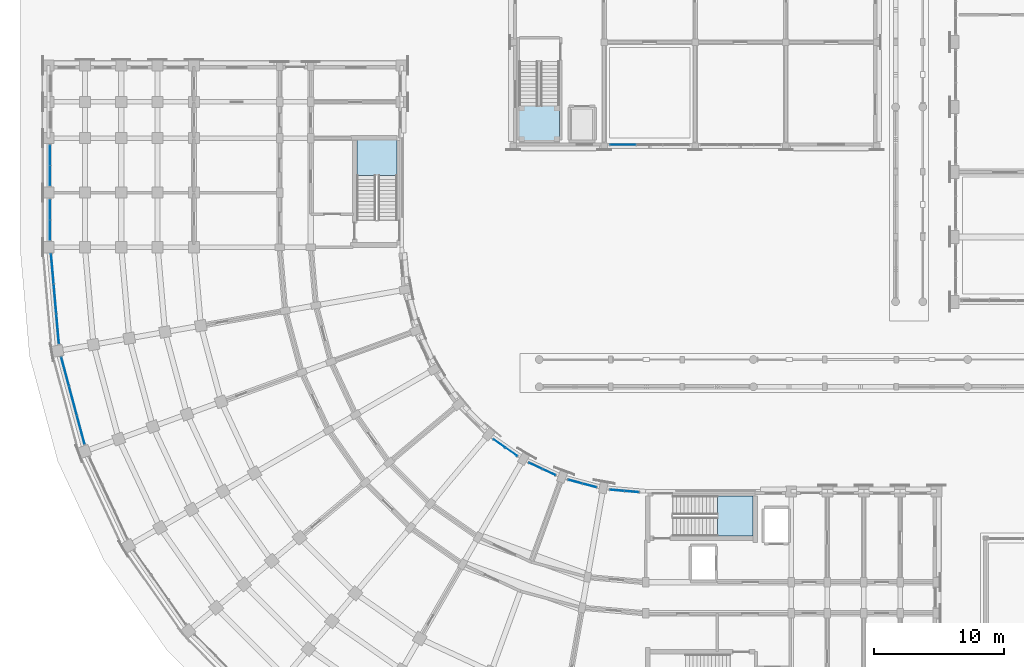
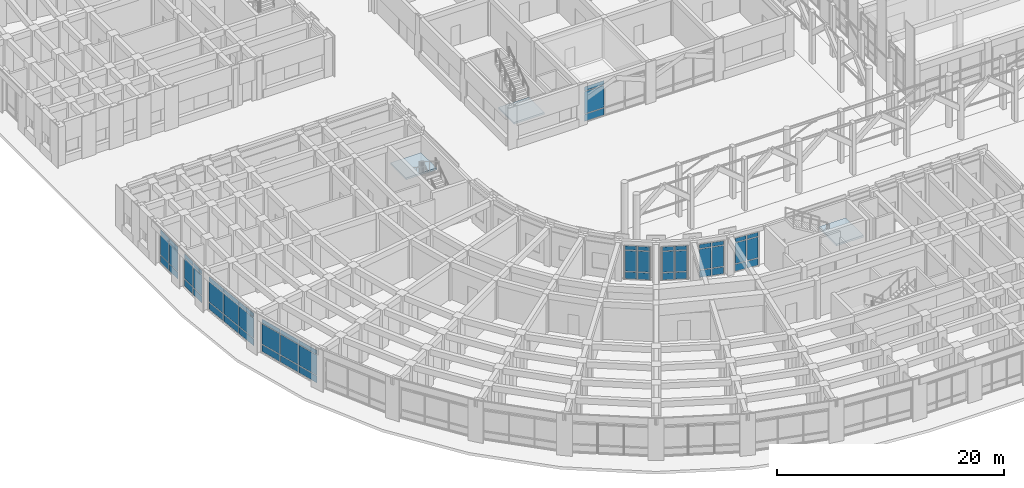
# One storey, part 59 of 135: 57 plates, 3 slabs, 12 elements without a shape of their own.
"""IFC4 building model written with IfcOpenShell, lengths in metres."""

from ifc_helpers import new_model, si_unit, direction, frame, origin, origin_2d, place, context, subcontext, project, spatial, polyline, rectangle, outline, extrude, material, layer, layer_set, type_object, element, aggregate, save


model = new_model("IFC4")

# Units and contexts
model_context = context("Model", 3, precision=1e-05, world=origin(), true_north=direction((0.0, 1.0)))
body_context = subcontext(model_context, "Body", "Model", "MODEL_VIEW")
ifc_project = project(units=[si_unit("LENGTHUNIT", "METRE"), si_unit("AREAUNIT", "SQUARE_METRE"), si_unit("VOLUMEUNIT", "CUBIC_METRE"), si_unit("PLANEANGLEUNIT", "RADIAN"), si_unit("MASSUNIT", "GRAM", prefix="KILO")], contexts=[model_context])

# Site, building, storey
site_placement = place(None, origin())
site = spatial("IfcSite", under=ifc_project, at=site_placement, CompositionType="ELEMENT")
building_placement = place(site_placement, origin())
building = spatial("IfcBuilding", under=site, at=building_placement, Name="Kiranvali Square Residences", CompositionType="ELEMENT")
storey_placement = place(building_placement, origin())
storey = spatial("IfcBuildingStorey", under=building, at=storey_placement, Name="L00", CompositionType="ELEMENT", Elevation=0.0)

# Curtain wall, plates
ifc_material_1 = material(Name="Anodised bronze aluminium framing", Category="aluminium")
curtain_wall_type_1 = type_object("IfcCurtainWallType", Name="CW-RET-SHOP", PredefinedType="USERDEFINED", material=ifc_material_1)
curtain_wall_1_placement = place(storey_placement, origin())
curtain_wall_1 = element("IfcCurtainWall", 1, at=curtain_wall_1_placement, inside=storey, type_object=curtain_wall_type_1, Name="Block C L00 rounded-corner arcade curtain wall 8", ObjectType="CURTAIN WALL", PredefinedType="USERDEFINED")
ifc_material_2 = material(Name="Solar-control low-e double glazing", Category="glass")
ifc_layer_1 = layer(ifc_material_2, 0.028076171875)
ifc_layer_set_1 = layer_set([ifc_layer_1], Name="Solar-control low-e double glazing")
plate_type_1 = type_object("IfcPlateType", Name="PLT-CW-GLZ", PredefinedType="CURTAIN_PANEL", material=ifc_layer_set_1)
plate_1_placement = place(storey_placement, frame((4.681640625, 34.137939453125, 0.89013671875), z_axis=(0.0, 0.0, 1.0), x_axis=(-0.258819045103, 0.965925826289, 0.0)))
plate_1 = element("IfcPlate", 2, at=plate_1_placement, type_object=plate_type_1, Name="CW-C-L00-CRV-07 glazed panel 1.2", PredefinedType="CURTAIN_PANEL", context=body_context, shape_type="SweptSolid", body=[
    extrude(rectangle(XDim=2.239501953125, YDim=0.028076171875, at=origin_2d()), origin(), (0.0, 0.0, 1.0), 2.169921875),
])
plate_2_placement = place(storey_placement, frame((4.681640625, 34.137939453125, 3.14013671875), z_axis=(0.0, 0.0, 1.0), x_axis=(-0.258819045103, 0.965925826289, 0.0)))
plate_2 = element("IfcPlate", 3, at=plate_2_placement, type_object=plate_type_1, Name="CW-C-L00-CRV-07 glazed panel 1.3", PredefinedType="CURTAIN_PANEL", context=body_context, shape_type="SweptSolid", body=[
    extrude(rectangle(XDim=2.239501953125, YDim=0.028076171875, at=origin_2d()), origin(), (0.0, 0.0, 1.0), 0.429931640625),
])
plate_3_placement = place(storey_placement, frame((4.081298828125, 36.37841796875, 0.89013671875), z_axis=(0.0, 0.0, 1.0), x_axis=(-0.258819045103, 0.965925826289, 0.0)))
plate_3 = element("IfcPlate", 4, at=plate_3_placement, type_object=plate_type_1, Name="CW-C-L00-CRV-07 glazed panel 2.2", PredefinedType="CURTAIN_PANEL", context=body_context, shape_type="SweptSolid", body=[
    extrude(rectangle(XDim=2.239501953125, YDim=0.028076171875, at=origin_2d()), origin(), (0.0, 0.0, 1.0), 2.169921875),
])
plate_4_placement = place(storey_placement, frame((4.081298828125, 36.37841796875, 3.14013671875), z_axis=(0.0, 0.0, 1.0), x_axis=(-0.258819045103, 0.965925826289, 0.0)))
plate_4 = element("IfcPlate", 5, at=plate_4_placement, type_object=plate_type_1, Name="CW-C-L00-CRV-07 glazed panel 2.3", PredefinedType="CURTAIN_PANEL", context=body_context, shape_type="SweptSolid", body=[
    extrude(rectangle(XDim=2.239501953125, YDim=0.028076171875, at=origin_2d()), origin(), (0.0, 0.0, 1.0), 0.429931640625),
])
plate_5_placement = place(storey_placement, frame((3.48095703125, 38.618896484375, 0.89013671875), z_axis=(0.0, 0.0, 1.0), x_axis=(-0.258819045103, 0.965925826289, 0.0)))
plate_5 = element("IfcPlate", 6, at=plate_5_placement, type_object=plate_type_1, Name="CW-C-L00-CRV-07 glazed panel 3.2", PredefinedType="CURTAIN_PANEL", context=body_context, shape_type="SweptSolid", body=[
    extrude(rectangle(XDim=2.239501953125, YDim=0.028076171875, at=origin_2d()), origin(), (0.0, 0.0, 1.0), 2.169921875),
])
plate_6_placement = place(storey_placement, frame((3.48095703125, 38.618896484375, 3.14013671875), z_axis=(0.0, 0.0, 1.0), x_axis=(-0.258819045103, 0.965925826289, 0.0)))
plate_6 = element("IfcPlate", 7, at=plate_6_placement, type_object=plate_type_1, Name="CW-C-L00-CRV-07 glazed panel 3.3", PredefinedType="CURTAIN_PANEL", context=body_context, shape_type="SweptSolid", body=[
    extrude(rectangle(XDim=2.239501953125, YDim=0.028076171875, at=origin_2d()), origin(), (0.0, 0.0, 1.0), 0.429931640625),
])

curtain_wall_2_placement = place(storey_placement, origin())
curtain_wall_2 = element("IfcCurtainWall", 8, at=curtain_wall_2_placement, inside=storey, type_object=curtain_wall_type_1, Name="Block C L00 rounded-corner arcade curtain wall 9", ObjectType="CURTAIN WALL", PredefinedType="USERDEFINED")
plate_7_placement = place(storey_placement, frame((2.90087890625, 41.908447265625, 0.89013671875), z_axis=(0.0, 0.0, 1.0), x_axis=(-0.087155742748, 0.996194698092, 0.0)))
plate_7 = element("IfcPlate", 9, at=plate_7_placement, type_object=plate_type_1, Name="CW-C-L00-CRV-08 glazed panel 1.2", PredefinedType="CURTAIN_PANEL", context=body_context, shape_type="SweptSolid", body=[
    extrude(rectangle(XDim=2.239501953125, YDim=0.028076171875, at=origin_2d()), origin(), (0.0, 0.0, 1.0), 2.169921875),
])
plate_8_placement = place(storey_placement, frame((2.90087890625, 41.908447265625, 3.14013671875), z_axis=(0.0, 0.0, 1.0), x_axis=(-0.087155742748, 0.996194698092, 0.0)))
plate_8 = element("IfcPlate", 10, at=plate_8_placement, type_object=plate_type_1, Name="CW-C-L00-CRV-08 glazed panel 1.3", PredefinedType="CURTAIN_PANEL", context=body_context, shape_type="SweptSolid", body=[
    extrude(rectangle(XDim=2.239501953125, YDim=0.028076171875, at=origin_2d()), origin(), (0.0, 0.0, 1.0), 0.429931640625),
])
plate_9_placement = place(storey_placement, frame((2.69873046875, 44.21923828125, 0.89013671875), z_axis=(0.0, 0.0, 1.0), x_axis=(-0.087155742748, 0.996194698092, 0.0)))
plate_9 = element("IfcPlate", 11, at=plate_9_placement, type_object=plate_type_1, Name="CW-C-L00-CRV-08 glazed panel 2.2", PredefinedType="CURTAIN_PANEL", context=body_context, shape_type="SweptSolid", body=[
    extrude(rectangle(XDim=2.239501953125, YDim=0.028076171875, at=origin_2d()), origin(), (0.0, 0.0, 1.0), 2.169921875),
])
plate_10_placement = place(storey_placement, frame((2.69873046875, 44.21923828125, 3.14013671875), z_axis=(0.0, 0.0, 1.0), x_axis=(-0.087155742748, 0.996194698092, 0.0)))
plate_10 = element("IfcPlate", 12, at=plate_10_placement, type_object=plate_type_1, Name="CW-C-L00-CRV-08 glazed panel 2.3", PredefinedType="CURTAIN_PANEL", context=body_context, shape_type="SweptSolid", body=[
    extrude(rectangle(XDim=2.239501953125, YDim=0.028076171875, at=origin_2d()), origin(), (0.0, 0.0, 1.0), 0.429931640625),
])
plate_11_placement = place(storey_placement, frame((2.49658203125, 46.52978515625, 0.89013671875), z_axis=(0.0, 0.0, 1.0), x_axis=(-0.087155742748, 0.996194698092, 0.0)))
plate_11 = element("IfcPlate", 13, at=plate_11_placement, type_object=plate_type_1, Name="CW-C-L00-CRV-08 glazed panel 3.2", PredefinedType="CURTAIN_PANEL", context=body_context, shape_type="SweptSolid", body=[
    extrude(rectangle(XDim=2.239501953125, YDim=0.028076171875, at=origin_2d()), origin(), (0.0, 0.0, 1.0), 2.169921875),
])
plate_12_placement = place(storey_placement, frame((2.49658203125, 46.52978515625, 3.14013671875), z_axis=(0.0, 0.0, 1.0), x_axis=(-0.087155742748, 0.996194698092, 0.0)))
plate_12 = element("IfcPlate", 14, at=plate_12_placement, type_object=plate_type_1, Name="CW-C-L00-CRV-08 glazed panel 3.3", PredefinedType="CURTAIN_PANEL", context=body_context, shape_type="SweptSolid", body=[
    extrude(rectangle(XDim=2.239501953125, YDim=0.028076171875, at=origin_2d()), origin(), (0.0, 0.0, 1.0), 0.429931640625),
])

curtain_wall_3_placement = place(storey_placement, origin())
curtain_wall_3 = element("IfcCurtainWall", 15, at=curtain_wall_3_placement, inside=storey, type_object=curtain_wall_type_1, Name="Block C L00 garden foyer curtain wall 1", ObjectType="CURTAIN WALL", PredefinedType="USERDEFINED")
plate_13_placement = place(storey_placement, frame((47.124267578125, 29.37353515625, 0.89013671875), z_axis=(0.0, 0.0, 1.0), x_axis=(-0.996194698092, 0.087155742748, 0.0)))
plate_13 = element("IfcPlate", 16, at=plate_13_placement, type_object=plate_type_1, Name="CW-C-L00-GDN-00 glazed panel 1.2", PredefinedType="CURTAIN_PANEL", context=body_context, shape_type="SweptSolid", body=[
    extrude(rectangle(XDim=1.05859375, YDim=0.028076171875, at=origin_2d()), origin(), (0.0, 0.0, 1.0), 2.219970703125),
])
plate_14_placement = place(storey_placement, frame((47.124267578125, 29.37353515625, 3.18994140625), z_axis=(0.0, 0.0, 1.0), x_axis=(-0.996194698092, 0.087155742748, 0.0)))
plate_14 = element("IfcPlate", 17, at=plate_14_placement, type_object=plate_type_1, Name="CW-C-L00-GDN-00 glazed panel 1.3", PredefinedType="CURTAIN_PANEL", context=body_context, shape_type="SweptSolid", body=[
    extrude(rectangle(XDim=1.05859375, YDim=0.028076171875, at=origin_2d()), origin(), (0.0, 0.0, 1.0), 0.429931640625),
])
plate_15_placement = place(storey_placement, frame((45.990234375, 29.472900390625, 0.89013671875), z_axis=(0.0, 0.0, 1.0), x_axis=(-0.996194698092, 0.087155742748, 0.0)))
plate_15 = element("IfcPlate", 18, at=plate_15_placement, type_object=plate_type_1, Name="CW-C-L00-GDN-00 glazed panel 2.2", PredefinedType="CURTAIN_PANEL", context=body_context, shape_type="SweptSolid", body=[
    extrude(rectangle(XDim=1.05859375, YDim=0.028076171875, at=origin_2d()), origin(), (0.0, 0.0, 1.0), 2.219970703125),
])
plate_16_placement = place(storey_placement, frame((45.990234375, 29.472900390625, 3.18994140625), z_axis=(0.0, 0.0, 1.0), x_axis=(-0.996194698092, 0.087155742748, 0.0)))
plate_16 = element("IfcPlate", 19, at=plate_16_placement, type_object=plate_type_1, Name="CW-C-L00-GDN-00 glazed panel 2.3", PredefinedType="CURTAIN_PANEL", context=body_context, shape_type="SweptSolid", body=[
    extrude(rectangle(XDim=1.05859375, YDim=0.028076171875, at=origin_2d()), origin(), (0.0, 0.0, 1.0), 0.429931640625),
])

curtain_wall_4_placement = place(storey_placement, origin())
curtain_wall_4 = element("IfcCurtainWall", 20, at=curtain_wall_4_placement, inside=storey, type_object=curtain_wall_type_1, Name="Block C L00 garden foyer curtain wall 2", ObjectType="CURTAIN WALL", PredefinedType="USERDEFINED")
plate_17_placement = place(storey_placement, frame((43.87158203125, 29.846435546875, 0.89013671875), z_axis=(0.0, 0.0, 1.0), x_axis=(-0.965925826289, 0.258819045103, 0.0)))
plate_17 = element("IfcPlate", 21, at=plate_17_placement, type_object=plate_type_1, Name="CW-C-L00-GDN-01 glazed panel 1.2", PredefinedType="CURTAIN_PANEL", context=body_context, shape_type="SweptSolid", body=[
    extrude(rectangle(XDim=1.05859375, YDim=0.028076171875, at=origin_2d()), origin(), (0.0, 0.0, 1.0), 2.219970703125),
])
plate_18_placement = place(storey_placement, frame((43.87158203125, 29.846435546875, 3.18994140625), z_axis=(0.0, 0.0, 1.0), x_axis=(-0.965925826289, 0.258819045103, 0.0)))
plate_18 = element("IfcPlate", 22, at=plate_18_placement, type_object=plate_type_1, Name="CW-C-L00-GDN-01 glazed panel 1.3", PredefinedType="CURTAIN_PANEL", context=body_context, shape_type="SweptSolid", body=[
    extrude(rectangle(XDim=1.05859375, YDim=0.028076171875, at=origin_2d()), origin(), (0.0, 0.0, 1.0), 0.429931640625),
])
plate_19_placement = place(storey_placement, frame((42.771728515625, 30.14111328125, 0.89013671875), z_axis=(0.0, 0.0, 1.0), x_axis=(-0.965925826289, 0.258819045103, 0.0)))
plate_19 = element("IfcPlate", 23, at=plate_19_placement, type_object=plate_type_1, Name="CW-C-L00-GDN-01 glazed panel 2.2", PredefinedType="CURTAIN_PANEL", context=body_context, shape_type="SweptSolid", body=[
    extrude(rectangle(XDim=1.05859375, YDim=0.028076171875, at=origin_2d()), origin(), (0.0, 0.0, 1.0), 2.219970703125),
])
plate_20_placement = place(storey_placement, frame((42.771728515625, 30.14111328125, 3.18994140625), z_axis=(0.0, 0.0, 1.0), x_axis=(-0.965925826289, 0.258819045103, 0.0)))
plate_20 = element("IfcPlate", 24, at=plate_20_placement, type_object=plate_type_1, Name="CW-C-L00-GDN-01 glazed panel 2.3", PredefinedType="CURTAIN_PANEL", context=body_context, shape_type="SweptSolid", body=[
    extrude(rectangle(XDim=1.05859375, YDim=0.028076171875, at=origin_2d()), origin(), (0.0, 0.0, 1.0), 0.429931640625),
])

curtain_wall_5_placement = place(storey_placement, origin())
curtain_wall_5 = element("IfcCurtainWall", 25, at=curtain_wall_5_placement, inside=storey, type_object=curtain_wall_type_1, Name="Block C L00 garden foyer curtain wall 3", ObjectType="CURTAIN WALL", PredefinedType="USERDEFINED")
plate_21_placement = place(storey_placement, frame((40.750244140625, 30.876953125, 0.89013671875), z_axis=(0.0, 0.0, 1.0), x_axis=(-0.906307787037, 0.422618261741, 0.0)))
plate_21 = element("IfcPlate", 26, at=plate_21_placement, type_object=plate_type_1, Name="CW-C-L00-GDN-02 glazed panel 1.2", PredefinedType="CURTAIN_PANEL", context=body_context, shape_type="SweptSolid", body=[
    extrude(rectangle(XDim=1.05859375, YDim=0.028076171875, at=origin_2d()), origin(), (0.0, 0.0, 1.0), 2.219970703125),
])
plate_22_placement = place(storey_placement, frame((40.750244140625, 30.876953125, 3.18994140625), z_axis=(0.0, 0.0, 1.0), x_axis=(-0.906307787037, 0.422618261741, 0.0)))
plate_22 = element("IfcPlate", 27, at=plate_22_placement, type_object=plate_type_1, Name="CW-C-L00-GDN-02 glazed panel 1.3", PredefinedType="CURTAIN_PANEL", context=body_context, shape_type="SweptSolid", body=[
    extrude(rectangle(XDim=1.05859375, YDim=0.028076171875, at=origin_2d()), origin(), (0.0, 0.0, 1.0), 0.429931640625),
])
plate_23_placement = place(storey_placement, frame((39.71826171875, 31.358154296875, 0.89013671875), z_axis=(0.0, 0.0, 1.0), x_axis=(-0.906307787037, 0.422618261741, 0.0)))
plate_23 = element("IfcPlate", 28, at=plate_23_placement, type_object=plate_type_1, Name="CW-C-L00-GDN-02 glazed panel 2.2", PredefinedType="CURTAIN_PANEL", context=body_context, shape_type="SweptSolid", body=[
    extrude(rectangle(XDim=1.05859375, YDim=0.028076171875, at=origin_2d()), origin(), (0.0, 0.0, 1.0), 2.219970703125),
])
plate_24_placement = place(storey_placement, frame((39.71826171875, 31.358154296875, 3.18994140625), z_axis=(0.0, 0.0, 1.0), x_axis=(-0.906307787037, 0.422618261741, 0.0)))
plate_24 = element("IfcPlate", 29, at=plate_24_placement, type_object=plate_type_1, Name="CW-C-L00-GDN-02 glazed panel 2.3", PredefinedType="CURTAIN_PANEL", context=body_context, shape_type="SweptSolid", body=[
    extrude(rectangle(XDim=1.05859375, YDim=0.028076171875, at=origin_2d()), origin(), (0.0, 0.0, 1.0), 0.429931640625),
])

curtain_wall_6_placement = place(storey_placement, origin())
curtain_wall_6 = element("IfcCurtainWall", 30, at=curtain_wall_6_placement, inside=storey, type_object=curtain_wall_type_1, Name="Block C L00 garden foyer curtain wall 4", ObjectType="CURTAIN WALL", PredefinedType="USERDEFINED")
plate_25_placement = place(storey_placement, frame((37.855224609375, 32.433837890625, 0.89013671875), z_axis=(0.0, 0.0, 1.0), x_axis=(-0.819152044289, 0.573576436351, 0.0)))
plate_25 = element("IfcPlate", 31, at=plate_25_placement, type_object=plate_type_1, Name="CW-C-L00-GDN-03 glazed panel 1.2", PredefinedType="CURTAIN_PANEL", context=body_context, shape_type="SweptSolid", body=[
    extrude(rectangle(XDim=1.05859375, YDim=0.028076171875, at=origin_2d()), origin(), (0.0, 0.0, 1.0), 2.219970703125),
])
plate_26_placement = place(storey_placement, frame((37.855224609375, 32.433837890625, 3.18994140625), z_axis=(0.0, 0.0, 1.0), x_axis=(-0.819152044289, 0.573576436351, 0.0)))
plate_26 = element("IfcPlate", 32, at=plate_26_placement, type_object=plate_type_1, Name="CW-C-L00-GDN-03 glazed panel 1.3", PredefinedType="CURTAIN_PANEL", context=body_context, shape_type="SweptSolid", body=[
    extrude(rectangle(XDim=1.05859375, YDim=0.028076171875, at=origin_2d()), origin(), (0.0, 0.0, 1.0), 0.429931640625),
])
plate_27_placement = place(storey_placement, frame((36.922607421875, 33.086669921875, 0.89013671875), z_axis=(0.0, 0.0, 1.0), x_axis=(-0.819152044289, 0.573576436351, 0.0)))
plate_27 = element("IfcPlate", 33, at=plate_27_placement, type_object=plate_type_1, Name="CW-C-L00-GDN-03 glazed panel 2.2", PredefinedType="CURTAIN_PANEL", context=body_context, shape_type="SweptSolid", body=[
    extrude(rectangle(XDim=1.05859375, YDim=0.028076171875, at=origin_2d()), origin(), (0.0, 0.0, 1.0), 2.219970703125),
])
plate_28_placement = place(storey_placement, frame((36.922607421875, 33.086669921875, 3.18994140625), z_axis=(0.0, 0.0, 1.0), x_axis=(-0.819152044289, 0.573576436351, 0.0)))
plate_28 = element("IfcPlate", 34, at=plate_28_placement, type_object=plate_type_1, Name="CW-C-L00-GDN-03 glazed panel 2.3", PredefinedType="CURTAIN_PANEL", context=body_context, shape_type="SweptSolid", body=[
    extrude(rectangle(XDim=1.05859375, YDim=0.028076171875, at=origin_2d()), origin(), (0.0, 0.0, 1.0), 0.429931640625),
])

curtain_wall_7_placement = place(storey_placement, origin())
curtain_wall_7 = element("IfcCurtainWall", 35, at=curtain_wall_7_placement, inside=storey, type_object=curtain_wall_type_1, Name="L00 curtain wall CW-C-L00-A2-0", ObjectType="CURTAIN WALL", PredefinedType="USERDEFINED")
plate_29_placement = place(storey_placement, frame((2.320068359375, 49.514892578125, 0.89013671875), z_axis=(0.0, 0.0, 1.0), x_axis=(0.0, 1.0, 0.0)))
plate_29 = element("IfcPlate", 36, at=plate_29_placement, type_object=plate_type_1, Name="CW-C-L00-A2-0 glazed panel 1.2", PredefinedType="CURTAIN_PANEL", context=body_context, shape_type="SweptSolid", body=[
    extrude(rectangle(XDim=1.489990234375, YDim=0.028076171875, at=origin_2d()), origin(), (0.0, 0.0, 1.0), 2.169921875),
])
plate_30_placement = place(storey_placement, frame((2.320068359375, 49.514892578125, 3.14013671875), z_axis=(0.0, 0.0, 1.0), x_axis=(0.0, 1.0, 0.0)))
plate_30 = element("IfcPlate", 37, at=plate_30_placement, type_object=plate_type_1, Name="CW-C-L00-A2-0 glazed panel 1.3", PredefinedType="CURTAIN_PANEL", context=body_context, shape_type="SweptSolid", body=[
    extrude(rectangle(XDim=1.489990234375, YDim=0.028076171875, at=origin_2d()), origin(), (0.0, 0.0, 1.0), 0.429931640625),
])
plate_31_placement = place(storey_placement, frame((2.320068359375, 51.0849609375, 0.89013671875), z_axis=(0.0, 0.0, 1.0), x_axis=(0.0, 1.0, 0.0)))
plate_31 = element("IfcPlate", 38, at=plate_31_placement, type_object=plate_type_1, Name="CW-C-L00-A2-0 glazed panel 2.2", PredefinedType="CURTAIN_PANEL", context=body_context, shape_type="SweptSolid", body=[
    extrude(rectangle(XDim=1.489990234375, YDim=0.028076171875, at=origin_2d()), origin(), (0.0, 0.0, 1.0), 2.169921875),
])
plate_32_placement = place(storey_placement, frame((2.320068359375, 51.0849609375, 3.14013671875), z_axis=(0.0, 0.0, 1.0), x_axis=(0.0, 1.0, 0.0)))
plate_32 = element("IfcPlate", 39, at=plate_32_placement, type_object=plate_type_1, Name="CW-C-L00-A2-0 glazed panel 2.3", PredefinedType="CURTAIN_PANEL", context=body_context, shape_type="SweptSolid", body=[
    extrude(rectangle(XDim=1.489990234375, YDim=0.028076171875, at=origin_2d()), origin(), (0.0, 0.0, 1.0), 0.429931640625),
])

curtain_wall_8_placement = place(storey_placement, origin())
curtain_wall_8 = element("IfcCurtainWall", 40, at=curtain_wall_8_placement, inside=storey, type_object=curtain_wall_type_1, Name="L00 curtain wall CW-C-L00-A2-1", ObjectType="CURTAIN WALL", PredefinedType="USERDEFINED")
plate_33_placement = place(storey_placement, frame((2.320068359375, 53.715087890625, 0.89013671875), z_axis=(0.0, 0.0, 1.0), x_axis=(0.0, 1.0, 0.0)))
plate_33 = element("IfcPlate", 41, at=plate_33_placement, type_object=plate_type_1, Name="CW-C-L00-A2-1 glazed panel 1.2", PredefinedType="CURTAIN_PANEL", context=body_context, shape_type="SweptSolid", body=[
    extrude(rectangle(XDim=1.489990234375, YDim=0.028076171875, at=origin_2d()), origin(), (0.0, 0.0, 1.0), 2.169921875),
])
plate_34_placement = place(storey_placement, frame((2.320068359375, 53.715087890625, 3.14013671875), z_axis=(0.0, 0.0, 1.0), x_axis=(0.0, 1.0, 0.0)))
plate_34 = element("IfcPlate", 42, at=plate_34_placement, type_object=plate_type_1, Name="CW-C-L00-A2-1 glazed panel 1.3", PredefinedType="CURTAIN_PANEL", context=body_context, shape_type="SweptSolid", body=[
    extrude(rectangle(XDim=1.489990234375, YDim=0.028076171875, at=origin_2d()), origin(), (0.0, 0.0, 1.0), 0.429931640625),
])
plate_35_placement = place(storey_placement, frame((2.320068359375, 55.284912109375, 0.89013671875), z_axis=(0.0, 0.0, 1.0), x_axis=(0.0, 1.0, 0.0)))
plate_35 = element("IfcPlate", 43, at=plate_35_placement, type_object=plate_type_1, Name="CW-C-L00-A2-1 glazed panel 2.2", PredefinedType="CURTAIN_PANEL", context=body_context, shape_type="SweptSolid", body=[
    extrude(rectangle(XDim=1.489990234375, YDim=0.028076171875, at=origin_2d()), origin(), (0.0, 0.0, 1.0), 2.169921875),
])
plate_36_placement = place(storey_placement, frame((2.320068359375, 55.284912109375, 3.14013671875), z_axis=(0.0, 0.0, 1.0), x_axis=(0.0, 1.0, 0.0)))
plate_36 = element("IfcPlate", 44, at=plate_36_placement, type_object=plate_type_1, Name="CW-C-L00-A2-1 glazed panel 2.3", PredefinedType="CURTAIN_PANEL", context=body_context, shape_type="SweptSolid", body=[
    extrude(rectangle(XDim=1.489990234375, YDim=0.028076171875, at=origin_2d()), origin(), (0.0, 0.0, 1.0), 0.429931640625),
])

curtain_wall_type_2 = type_object("IfcCurtainWallType", Name="CW-PAV-GLZ", PredefinedType="USERDEFINED", material=ifc_material_1)
curtain_wall_9_placement = place(storey_placement, origin())
curtain_wall_9 = element("IfcCurtainWall", 45, at=curtain_wall_9_placement, inside=storey, type_object=curtain_wall_type_2, Name="Nursery Pavilion south arcade curtain wall 2", ObjectType="CURTAIN WALL", PredefinedType="USERDEFINED")
plate_37_placement = place(storey_placement, frame((46.453369140625, 56.10009765625, 0.889892578125), z_axis=(0.0, 0.0, 1.0), x_axis=(1.0, 0.0, 0.0)))
plate_37 = element("IfcPlate", 46, at=plate_37_placement, type_object=plate_type_1, Name="CW-NR-S0-1 glazed panel 1.2", PredefinedType="CURTAIN_PANEL", context=body_context, shape_type="SweptSolid", body=[
    extrude(rectangle(XDim=1.966796875, YDim=0.028076171875, at=origin_2d()), origin(), (0.0, 0.0, 1.0), 2.3701171875),
])
plate_38_placement = place(storey_placement, frame((46.453369140625, 56.10009765625, 3.33984375), z_axis=(0.0, 0.0, 1.0), x_axis=(1.0, 0.0, 0.0)))
plate_38 = element("IfcPlate", 47, at=plate_38_placement, type_object=plate_type_1, Name="CW-NR-S0-1 glazed panel 1.3", PredefinedType="CURTAIN_PANEL", context=body_context, shape_type="SweptSolid", body=[
    extrude(rectangle(XDim=1.966796875, YDim=0.028076171875, at=origin_2d()), origin(), (0.0, 0.0, 1.0), 0.429931640625),
])

# Plate
ifc_material_3 = material(Name="Honed Porbandar limestone ashlar facade cladding", Category="masonry")
ifc_layer_2 = layer(ifc_material_3, 0.02392578125)
ifc_layer_set_2 = layer_set([ifc_layer_2], Name="Honed Porbandar limestone ashlar facade cladding")
plate_type_2 = type_object("IfcPlateType", Name="PLT-CW-SPN", PredefinedType="SHEET", material=ifc_layer_set_2)
plate_39_placement = place(storey_placement, frame((4.681640625, 34.137939453125, 0.080078125), z_axis=(0.0, 0.0, 1.0), x_axis=(-0.258819045103, 0.965925826289, 0.0)))
plate_39 = element("IfcPlate", 48, at=plate_39_placement, type_object=plate_type_2, Name="CW-C-L00-CRV-07 spandrel panel 1.1", PredefinedType="SHEET", context=body_context, shape_type="SweptSolid", body=[
    extrude(rectangle(XDim=2.239501953125, YDim=0.02392578125, at=origin_2d()), origin(), (0.0, 0.0, 1.0), 0.72998046875),
])

plate_40_placement = place(storey_placement, frame((4.081298828125, 36.37841796875, 0.080078125), z_axis=(0.0, 0.0, 1.0), x_axis=(-0.258819045103, 0.965925826289, 0.0)))
plate_40 = element("IfcPlate", 49, at=plate_40_placement, type_object=plate_type_2, Name="CW-C-L00-CRV-07 spandrel panel 2.1", PredefinedType="SHEET", context=body_context, shape_type="SweptSolid", body=[
    extrude(rectangle(XDim=2.239501953125, YDim=0.02392578125, at=origin_2d()), origin(), (0.0, 0.0, 1.0), 0.72998046875),
])

plate_41_placement = place(storey_placement, frame((3.48095703125, 38.618896484375, 0.080078125), z_axis=(0.0, 0.0, 1.0), x_axis=(-0.258819045103, 0.965925826289, 0.0)))
plate_41 = element("IfcPlate", 50, at=plate_41_placement, type_object=plate_type_2, Name="CW-C-L00-CRV-07 spandrel panel 3.1", PredefinedType="SHEET", context=body_context, shape_type="SweptSolid", body=[
    extrude(rectangle(XDim=2.239501953125, YDim=0.02392578125, at=origin_2d()), origin(), (0.0, 0.0, 1.0), 0.72998046875),
])

aggregate(curtain_wall_1, [plate_39, plate_1, plate_2, plate_40, plate_3, plate_4, plate_41, plate_5, plate_6])

plate_42_placement = place(storey_placement, frame((2.90087890625, 41.908447265625, 0.080078125), z_axis=(0.0, 0.0, 1.0), x_axis=(-0.087155742748, 0.996194698092, 0.0)))
plate_42 = element("IfcPlate", 51, at=plate_42_placement, type_object=plate_type_2, Name="CW-C-L00-CRV-08 spandrel panel 1.1", PredefinedType="SHEET", context=body_context, shape_type="SweptSolid", body=[
    extrude(rectangle(XDim=2.239501953125, YDim=0.02392578125, at=origin_2d()), origin(), (0.0, 0.0, 1.0), 0.72998046875),
])

plate_43_placement = place(storey_placement, frame((2.69873046875, 44.21923828125, 0.080078125), z_axis=(0.0, 0.0, 1.0), x_axis=(-0.087155742748, 0.996194698092, 0.0)))
plate_43 = element("IfcPlate", 52, at=plate_43_placement, type_object=plate_type_2, Name="CW-C-L00-CRV-08 spandrel panel 2.1", PredefinedType="SHEET", context=body_context, shape_type="SweptSolid", body=[
    extrude(rectangle(XDim=2.239501953125, YDim=0.02392578125, at=origin_2d()), origin(), (0.0, 0.0, 1.0), 0.72998046875),
])

plate_44_placement = place(storey_placement, frame((2.49658203125, 46.52978515625, 0.080078125), z_axis=(0.0, 0.0, 1.0), x_axis=(-0.087155742748, 0.996194698092, 0.0)))
plate_44 = element("IfcPlate", 53, at=plate_44_placement, type_object=plate_type_2, Name="CW-C-L00-CRV-08 spandrel panel 3.1", PredefinedType="SHEET", context=body_context, shape_type="SweptSolid", body=[
    extrude(rectangle(XDim=2.239501953125, YDim=0.02392578125, at=origin_2d()), origin(), (0.0, 0.0, 1.0), 0.72998046875),
])

aggregate(curtain_wall_2, [plate_42, plate_7, plate_8, plate_43, plate_9, plate_10, plate_44, plate_11, plate_12])

plate_45_placement = place(storey_placement, frame((47.124267578125, 29.37353515625, 0.080078125), z_axis=(0.0, 0.0, 1.0), x_axis=(-0.996194698092, 0.087155742748, 0.0)))
plate_45 = element("IfcPlate", 54, at=plate_45_placement, type_object=plate_type_2, Name="CW-C-L00-GDN-00 spandrel panel 1.1", PredefinedType="SHEET", context=body_context, shape_type="SweptSolid", body=[
    extrude(rectangle(XDim=1.05859375, YDim=0.02392578125, at=origin_2d()), origin(), (0.0, 0.0, 1.0), 0.72998046875),
])

plate_46_placement = place(storey_placement, frame((45.990234375, 29.472900390625, 0.080078125), z_axis=(0.0, 0.0, 1.0), x_axis=(-0.996194698092, 0.087155742748, 0.0)))
plate_46 = element("IfcPlate", 55, at=plate_46_placement, type_object=plate_type_2, Name="CW-C-L00-GDN-00 spandrel panel 2.1", PredefinedType="SHEET", context=body_context, shape_type="SweptSolid", body=[
    extrude(rectangle(XDim=1.05859375, YDim=0.02392578125, at=origin_2d()), origin(), (0.0, 0.0, 1.0), 0.72998046875),
])

aggregate(curtain_wall_3, [plate_45, plate_13, plate_14, plate_46, plate_15, plate_16])

plate_47_placement = place(storey_placement, frame((43.87158203125, 29.846435546875, 0.080078125), z_axis=(0.0, 0.0, 1.0), x_axis=(-0.965925826289, 0.258819045103, 0.0)))
plate_47 = element("IfcPlate", 56, at=plate_47_placement, type_object=plate_type_2, Name="CW-C-L00-GDN-01 spandrel panel 1.1", PredefinedType="SHEET", context=body_context, shape_type="SweptSolid", body=[
    extrude(rectangle(XDim=1.05859375, YDim=0.02392578125, at=origin_2d()), origin(), (0.0, 0.0, 1.0), 0.72998046875),
])

plate_48_placement = place(storey_placement, frame((42.771728515625, 30.14111328125, 0.080078125), z_axis=(0.0, 0.0, 1.0), x_axis=(-0.965925826289, 0.258819045103, 0.0)))
plate_48 = element("IfcPlate", 57, at=plate_48_placement, type_object=plate_type_2, Name="CW-C-L00-GDN-01 spandrel panel 2.1", PredefinedType="SHEET", context=body_context, shape_type="SweptSolid", body=[
    extrude(rectangle(XDim=1.05859375, YDim=0.02392578125, at=origin_2d()), origin(), (0.0, 0.0, 1.0), 0.72998046875),
])

aggregate(curtain_wall_4, [plate_47, plate_17, plate_18, plate_48, plate_19, plate_20])

plate_49_placement = place(storey_placement, frame((40.750244140625, 30.876953125, 0.080078125), z_axis=(0.0, 0.0, 1.0), x_axis=(-0.906307787037, 0.422618261741, 0.0)))
plate_49 = element("IfcPlate", 58, at=plate_49_placement, type_object=plate_type_2, Name="CW-C-L00-GDN-02 spandrel panel 1.1", PredefinedType="SHEET", context=body_context, shape_type="SweptSolid", body=[
    extrude(rectangle(XDim=1.05859375, YDim=0.02392578125, at=origin_2d()), origin(), (0.0, 0.0, 1.0), 0.72998046875),
])

plate_50_placement = place(storey_placement, frame((39.71826171875, 31.358154296875, 0.080078125), z_axis=(0.0, 0.0, 1.0), x_axis=(-0.906307787037, 0.422618261741, 0.0)))
plate_50 = element("IfcPlate", 59, at=plate_50_placement, type_object=plate_type_2, Name="CW-C-L00-GDN-02 spandrel panel 2.1", PredefinedType="SHEET", context=body_context, shape_type="SweptSolid", body=[
    extrude(rectangle(XDim=1.05859375, YDim=0.02392578125, at=origin_2d()), origin(), (0.0, 0.0, 1.0), 0.72998046875),
])

aggregate(curtain_wall_5, [plate_49, plate_21, plate_22, plate_50, plate_23, plate_24])

plate_51_placement = place(storey_placement, frame((37.855224609375, 32.433837890625, 0.080078125), z_axis=(0.0, 0.0, 1.0), x_axis=(-0.819152044289, 0.573576436351, 0.0)))
plate_51 = element("IfcPlate", 60, at=plate_51_placement, type_object=plate_type_2, Name="CW-C-L00-GDN-03 spandrel panel 1.1", PredefinedType="SHEET", context=body_context, shape_type="SweptSolid", body=[
    extrude(rectangle(XDim=1.05859375, YDim=0.02392578125, at=origin_2d()), origin(), (0.0, 0.0, 1.0), 0.72998046875),
])

plate_52_placement = place(storey_placement, frame((36.922607421875, 33.086669921875, 0.080078125), z_axis=(0.0, 0.0, 1.0), x_axis=(-0.819152044289, 0.573576436351, 0.0)))
plate_52 = element("IfcPlate", 61, at=plate_52_placement, type_object=plate_type_2, Name="CW-C-L00-GDN-03 spandrel panel 2.1", PredefinedType="SHEET", context=body_context, shape_type="SweptSolid", body=[
    extrude(rectangle(XDim=1.05859375, YDim=0.02392578125, at=origin_2d()), origin(), (0.0, 0.0, 1.0), 0.72998046875),
])

aggregate(curtain_wall_6, [plate_51, plate_25, plate_26, plate_52, plate_27, plate_28])

plate_53_placement = place(storey_placement, frame((2.320068359375, 49.514892578125, 0.080078125), z_axis=(0.0, 0.0, 1.0), x_axis=(0.0, 1.0, 0.0)))
plate_53 = element("IfcPlate", 62, at=plate_53_placement, type_object=plate_type_2, Name="CW-C-L00-A2-0 spandrel panel 1.1", PredefinedType="SHEET", context=body_context, shape_type="SweptSolid", body=[
    extrude(rectangle(XDim=1.489990234375, YDim=0.02392578125, at=origin_2d()), origin(), (0.0, 0.0, 1.0), 0.72998046875),
])

plate_54_placement = place(storey_placement, frame((2.320068359375, 51.0849609375, 0.080078125), z_axis=(0.0, 0.0, 1.0), x_axis=(0.0, 1.0, 0.0)))
plate_54 = element("IfcPlate", 63, at=plate_54_placement, type_object=plate_type_2, Name="CW-C-L00-A2-0 spandrel panel 2.1", PredefinedType="SHEET", context=body_context, shape_type="SweptSolid", body=[
    extrude(rectangle(XDim=1.489990234375, YDim=0.02392578125, at=origin_2d()), origin(), (0.0, 0.0, 1.0), 0.72998046875),
])

aggregate(curtain_wall_7, [plate_53, plate_29, plate_30, plate_54, plate_31, plate_32])

plate_55_placement = place(storey_placement, frame((2.320068359375, 53.715087890625, 0.080078125), z_axis=(0.0, 0.0, 1.0), x_axis=(0.0, 1.0, 0.0)))
plate_55 = element("IfcPlate", 64, at=plate_55_placement, type_object=plate_type_2, Name="CW-C-L00-A2-1 spandrel panel 1.1", PredefinedType="SHEET", context=body_context, shape_type="SweptSolid", body=[
    extrude(rectangle(XDim=1.489990234375, YDim=0.02392578125, at=origin_2d()), origin(), (0.0, 0.0, 1.0), 0.72998046875),
])

plate_56_placement = place(storey_placement, frame((2.320068359375, 55.284912109375, 0.080078125), z_axis=(0.0, 0.0, 1.0), x_axis=(0.0, 1.0, 0.0)))
plate_56 = element("IfcPlate", 65, at=plate_56_placement, type_object=plate_type_2, Name="CW-C-L00-A2-1 spandrel panel 2.1", PredefinedType="SHEET", context=body_context, shape_type="SweptSolid", body=[
    extrude(rectangle(XDim=1.489990234375, YDim=0.02392578125, at=origin_2d()), origin(), (0.0, 0.0, 1.0), 0.72998046875),
])

aggregate(curtain_wall_8, [plate_55, plate_33, plate_34, plate_56, plate_35, plate_36])

plate_57_placement = place(storey_placement, frame((46.453369140625, 56.10009765625, 0.080078125), z_axis=(0.0, 0.0, 1.0), x_axis=(1.0, 0.0, 0.0)))
plate_57 = element("IfcPlate", 66, at=plate_57_placement, type_object=plate_type_2, Name="CW-NR-S0-1 spandrel panel 1.1", PredefinedType="SHEET", context=body_context, shape_type="SweptSolid", body=[
    extrude(rectangle(XDim=1.966796875, YDim=0.02392578125, at=origin_2d()), origin(), (0.0, 0.0, 1.0), 0.72998046875),
])

aggregate(curtain_wall_9, [plate_57, plate_37, plate_38])

# Stair, slab
ifc_material_4 = material(Name="Concrete M35 (35 MPa)", Category="concrete")
stair_type = type_object("IfcStairType", Name="ST-CORE-1700", PredefinedType="HALF_TURN_STAIR", material=ifc_material_4)
stair_1_placement = place(storey_placement, origin())
stair_1 = element("IfcStair", 67, at=stair_1_placement, inside=storey, type_object=stair_type, Name="L00 Block C Protected Exit Stair 2", PredefinedType="HALF_TURN_STAIR")
ifc_layer_3 = layer(ifc_material_4, 0.199951171875)
ifc_layer_set_3 = layer_set([ifc_layer_3], Name="Concrete M35 (35 MPa)")
slab_type = type_object("IfcSlabType", Name="SLB-LND-200", PredefinedType="LANDING", material=ifc_layer_set_3)
slab_1_placement = place(storey_placement, frame((0.0, 0.0, 2.050048828125)))
slab_1 = element("IfcSlab", 68, at=slab_1_placement, type_object=slab_type, Name="ST-C2 landing 1", PredefinedType="LANDING", context=body_context, shape_type="SweptSolid", body=[
    extrude(outline(polyline([(53.719970703125, 25.949951171875), (56.449951171875, 25.949951171875), (56.449951171875, 29.050048828125), (53.719970703125, 29.050048828125), (53.719970703125, 25.949951171875)])), origin(), (0.0, 0.0, 1.0), 0.199951171875),
])
aggregate(stair_1, [slab_1])

stair_2_placement = place(storey_placement, origin())
stair_2 = element("IfcStair", 69, at=stair_2_placement, inside=storey, type_object=stair_type, Name="L00 Block C Wing Protected Exit Stair 3", PredefinedType="HALF_TURN_STAIR")
slab_2_placement = place(storey_placement, frame((0.0, 0.0, 2.050048828125)))
slab_2 = element("IfcSlab", 70, at=slab_2_placement, type_object=slab_type, Name="ST-C3 landing 1", PredefinedType="LANDING", context=body_context, shape_type="SweptSolid", body=[
    extrude(outline(polyline([(29.050048828125, 53.719970703125), (29.050048828125, 56.449951171875), (25.949951171875, 56.449951171875), (25.949951171875, 53.719970703125), (29.050048828125, 53.719970703125)])), origin(), (0.0, 0.0, 1.0), 0.199951171875),
])
aggregate(stair_2, [slab_2])

stair_3_placement = place(storey_placement, origin())
stair_3 = element("IfcStair", 71, at=stair_3_placement, inside=storey, type_object=stair_type, Name="L00 Nursery Pavilion Exit Stair 1", PredefinedType="HALF_TURN_STAIR")
slab_3_placement = place(storey_placement, frame((0.0, 0.0, 2.050048828125)))
slab_3 = element("IfcSlab", 72, at=slab_3_placement, type_object=slab_type, Name="ST-NR1 landing 1", PredefinedType="LANDING", context=body_context, shape_type="SweptSolid", body=[
    extrude(outline(polyline([(38.449951171875, 59.080078125), (38.449951171875, 56.35009765625), (41.550048828125, 56.35009765625), (41.550048828125, 59.080078125), (38.449951171875, 59.080078125)])), origin(), (0.0, 0.0, 1.0), 0.199951171875),
])
aggregate(stair_3, [slab_3])

save(model, "model.ifc")
